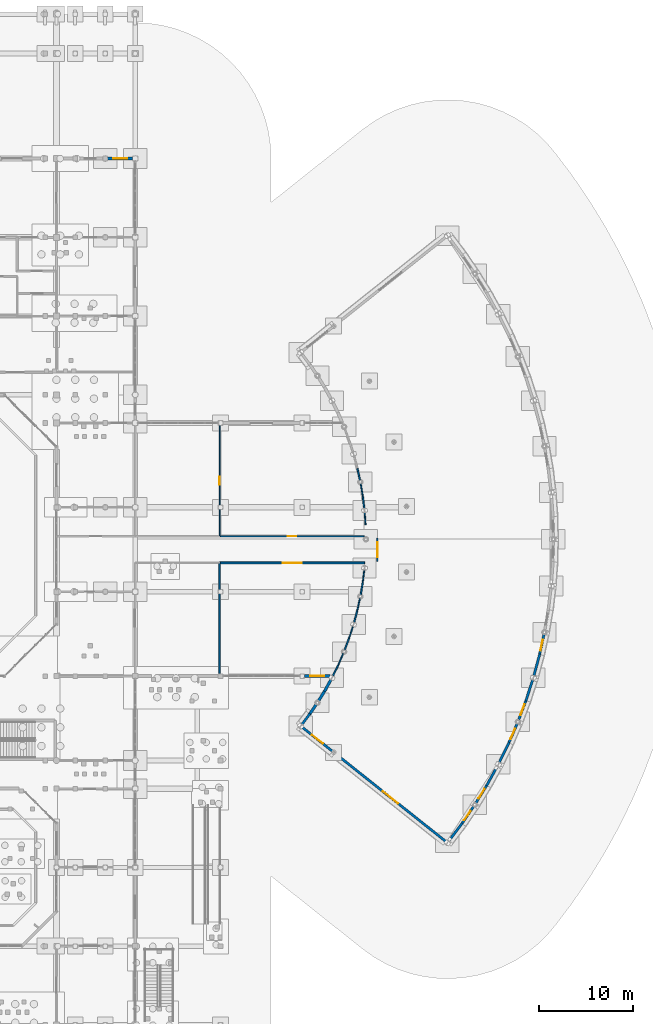
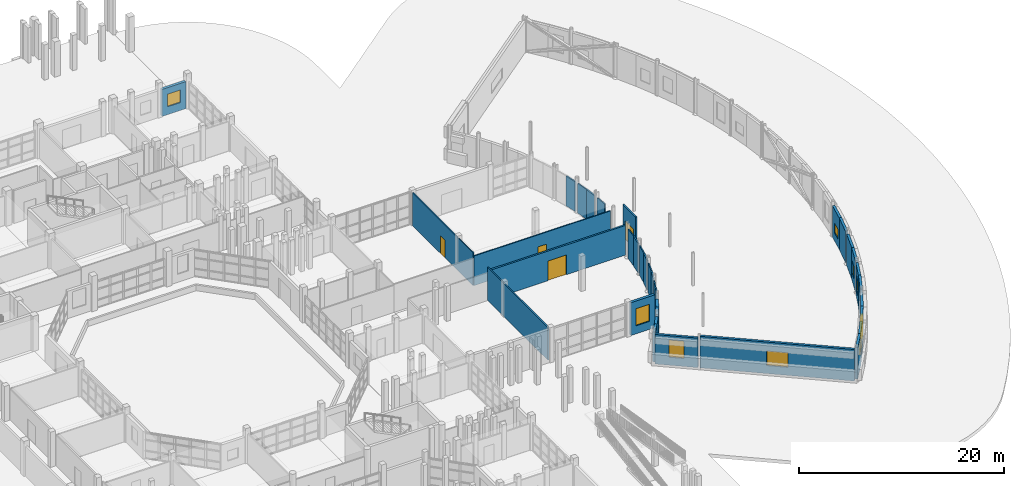
# One storey, part 65 of 88: 35 walls, 9 windows, 4 doors, 13 openings.
"""IFC4 building model written with IfcOpenShell, lengths in metres."""

import ifcopenshell
import ifcopenshell.guid

model = None  # the IFC model being written
_history = None  # IfcOwnerHistory: only IFC2X3 demands one
_inside = {}  # id of a spatial element -> (the spatial element, [elements in it])
_under = {}  # id of a project, library or spatial element -> (it, [spatial elements below it])
_declared = {}  # id of a project -> (the project, [libraries it declares])
_typed = {}  # id of a type object -> (the type object, [elements of that type])
_made_of = {}  # id of a material, layer set ... -> (it, [elements and type objects made of it])


def new_model(schema):
    """Start an empty IFC model of exactly this schema.

    Asked for "IFC4X3", IfcOpenShell would pick the latest addendum, in which some entities
    have other attributes; the version numbers below select the first issue.
    IFC2X3 requires an IfcOwnerHistory on every rooted entity: one is made here for all.
    """
    global model, _history
    if schema == "IFC4X3":
        model = ifcopenshell.file(schema_version=(4, 3, 0, 0))
    else:
        model = ifcopenshell.file(schema=schema)
    _inside.clear()
    _under.clear()
    _declared.clear()
    _typed.clear()
    _made_of.clear()
    _history = None
    if model.schema == "IFC2X3":
        org = make("IfcOrganization", Name="unknown")
        user = make(
            "IfcPersonAndOrganization",
            ThePerson=make("IfcPerson", FamilyName="unknown"),
            TheOrganization=org,
        )
        app = make(
            "IfcApplication",
            ApplicationDeveloper=org,
            Version="unknown",
            ApplicationFullName="unknown",
            ApplicationIdentifier="unknown",
        )
        _history = make(
            "IfcOwnerHistory",
            OwningUser=user,
            OwningApplication=app,
            ChangeAction="ADDED",
            CreationDate=0,
        )
    return model


def make(cls, **values):
    """One entity of the class cls with the attributes given. An attribute that is None is left unset."""
    return model.create_entity(
        cls, **{name: value for name, value in values.items() if value is not None}
    )


def rooted(cls, **values):
    """An entity with a GlobalId (a new one), such as an element, a storey or a relation."""
    return make(cls, GlobalId=ifcopenshell.guid.new(), OwnerHistory=_history, **values)


def si_unit(unit_type, name, prefix=None):
    """IfcSIUnit, for example si_unit("LENGTHUNIT", "METRE", prefix="MILLI")."""
    return make("IfcSIUnit", UnitType=unit_type, Prefix=prefix, Name=name)


def assignment(units):
    """IfcUnitAssignment: the units of a project."""
    return None if units is None else make("IfcUnitAssignment", Units=units)


def point(xyz):
    """IfcCartesianPoint."""
    return None if xyz is None else make("IfcCartesianPoint", Coordinates=xyz)


def direction(xyz):
    """IfcDirection."""
    return None if xyz is None else make("IfcDirection", DirectionRatios=xyz)


def frame(location, z_axis=None, x_axis=None):
    """IfcAxis2Placement3D, a coordinate frame: its origin and axes. An axis left out is left unset."""
    return make(
        "IfcAxis2Placement3D",
        Location=point(location),
        Axis=direction(z_axis),
        RefDirection=direction(x_axis),
    )


def frame_2d(location, x_axis=None):
    """IfcAxis2Placement2D, a coordinate frame in the plane: its origin and x axis."""
    return make(
        "IfcAxis2Placement2D", Location=point(location), RefDirection=direction(x_axis)
    )


def origin():
    """The frame at (0, 0, 0) with its axes left unset."""
    return frame((0.0, 0.0, 0.0))


def place(relative_to, where):
    """IfcLocalPlacement: puts the frame where relative to a parent placement (None: the world)."""
    return make(
        "IfcLocalPlacement", PlacementRelTo=relative_to, RelativePlacement=where
    )


def context(
    kind, dimensions, precision=None, world=None, true_north=None, identifier=None
):
    """IfcGeometricRepresentationContext, for example the 3D "Model" context."""
    return make(
        "IfcGeometricRepresentationContext",
        ContextIdentifier=identifier,
        ContextType=kind,
        CoordinateSpaceDimension=dimensions,
        Precision=precision,
        WorldCoordinateSystem=world,
        TrueNorth=true_north,
    )


def subcontext(parent, identifier, kind, view, scale=None):
    """IfcGeometricRepresentationSubContext, for example "Body" below "Model"."""
    return make(
        "IfcGeometricRepresentationSubContext",
        ContextIdentifier=identifier,
        ContextType=kind,
        ParentContext=parent,
        TargetScale=scale,
        TargetView=view,
    )


def project(units=None, contexts=None):
    """IfcProject with its units and contexts."""
    return rooted(
        "IfcProject",
        Name="project",
        RepresentationContexts=contexts,
        UnitsInContext=assignment(units),
    )


def spatial(cls, under=None, at=None, **own):
    """A site, building, storey or space (cls), placed at a placement, below another one or the project."""
    s = rooted(cls, ObjectPlacement=at, **own)
    if under is not None:
        _under.setdefault(under.id(), (under, []))[1].append(s)
    return s


def profile(cls, at=None, kind="AREA", **sizes):
    """A parametric profile (cls). Its sizes go by their IFC names, for example OverallWidth=200.0."""
    return make(cls, ProfileType=kind, Position=at, **sizes)


def rectangle(**sizes):
    """IfcRectangleProfileDef."""
    return profile("IfcRectangleProfileDef", **sizes)


def extrude(swept, where, along, depth):
    """IfcExtrudedAreaSolid: the profile swept, set in the frame where, extruded along a direction by depth."""
    return make(
        "IfcExtrudedAreaSolid",
        SweptArea=swept,
        Position=where,
        ExtrudedDirection=direction(along),
        Depth=depth,
    )


def shape(context_of_items, identifier, shape_type, items):
    """IfcShapeRepresentation: the items that make up one representation, for example the "Body"."""
    return make(
        "IfcShapeRepresentation",
        ContextOfItems=context_of_items,
        RepresentationIdentifier=identifier,
        RepresentationType=shape_type,
        Items=items,
    )


def material(Name=None, Category=None):
    """IfcMaterial."""
    return make("IfcMaterial", Name=Name, Category=Category)


def layer(
    of_material, thickness, ventilated=None, Name=None, Category=None, Priority=None
):
    """IfcMaterialLayer: one layer of a wall or slab, of a material (None: an air gap)."""
    return make(
        "IfcMaterialLayer",
        Material=of_material,
        LayerThickness=thickness,
        IsVentilated=ventilated,
        Name=Name,
        Category=Category,
        Priority=Priority,
    )


def layer_set(layers, Name=None):
    """IfcMaterialLayerSet."""
    return make("IfcMaterialLayerSet", MaterialLayers=layers, LayerSetName=Name)


def made_of(thing, what):
    """Note that an element or type object is made of a material, layer set ...; save() writes the relation."""
    if what is not None:
        _made_of.setdefault(what.id(), (what, []))[1].append(thing)
    return thing


def type_object(cls, material=None, **own):
    """A type object (cls), such as IfcWallType, which elements share."""
    return made_of(rooted(cls, **own), material)


def element(
    cls,
    number,
    at=None,
    inside=None,
    cuts=None,
    type_object=None,
    material=None,
    context=None,
    identifier="Body",
    shape_type=None,
    held_by="IfcProductDefinitionShape",
    body=None,
    shapes=None,
    **own,
):
    """One element of the class cls, such as IfcWall. Its Tag is "e" and its number.

    at: its placement. inside: the storey or other place that contains it. cuts: it is an
    opening in that element (IfcRelVoidsElement). A single representation is given by context,
    identifier, shape_type and body (its items); several are given by shapes. held_by: the class
    of the entity that holds the representations. save() writes the other relations.
    """
    e = rooted(cls, Tag="e%d" % number, ObjectPlacement=at, **own)
    if body is not None:
        shapes = [shape(context, identifier, shape_type, body)]
    if shapes is not None:
        e.Representation = make(held_by, Representations=shapes)
    if inside is not None:
        _inside.setdefault(inside.id(), (inside, []))[1].append(e)
    if cuts is not None:
        rooted(
            "IfcRelVoidsElement", RelatingBuildingElement=cuts, RelatedOpeningElement=e
        )
    if type_object is not None:
        _typed.setdefault(type_object.id(), (type_object, []))[1].append(e)
    return made_of(e, material)


def fill(opening, filler):
    """IfcRelFillsElement: the door or window that sits in an opening."""
    return rooted(
        "IfcRelFillsElement",
        RelatingOpeningElement=opening,
        RelatedBuildingElement=filler,
    )


def aggregate(whole, parts):
    """IfcRelAggregates: a whole, such as a stair, and the parts it consists of."""
    return rooted("IfcRelAggregates", RelatingObject=whole, RelatedObjects=parts)


def save(model, path):
    """Write the relations noted so far, then the file.

    IfcRelAggregates (storeys below a building ...), IfcRelContainedInSpatialStructure (elements
    in a storey), IfcRelDefinesByType, IfcRelAssociatesMaterial and IfcRelDeclares: one each for
    every whole, place, type object, material and project.
    """
    for whole, parts in _under.values():
        aggregate(whole, parts)
    for where, things in _inside.values():
        rooted(
            "IfcRelContainedInSpatialStructure",
            RelatedElements=things,
            RelatingStructure=where,
        )
    for kind, things in _typed.values():
        rooted("IfcRelDefinesByType", RelatedObjects=things, RelatingType=kind)
    for what, things in _made_of.values():
        rooted("IfcRelAssociatesMaterial", RelatedObjects=things, RelatingMaterial=what)
    for by, libraries in _declared.values():
        rooted("IfcRelDeclares", RelatingContext=by, RelatedDefinitions=libraries)
    model.write(path)


model = new_model("IFC4")

# Units and contexts
model_context = context("Model", 3, precision=1e-05, world=origin(), true_north=direction((0.0, 1.0)))
body_context = subcontext(model_context, "Body", "Model", "MODEL_VIEW")
ifc_project = project(units=[si_unit("LENGTHUNIT", "METRE"), si_unit("AREAUNIT", "SQUARE_METRE"), si_unit("VOLUMEUNIT", "CUBIC_METRE"), si_unit("PLANEANGLEUNIT", "RADIAN"), si_unit("MASSUNIT", "GRAM", prefix="KILO")], contexts=[model_context])

# Site, building, storey
site_placement = place(None, origin())
site = spatial("IfcSite", under=ifc_project, at=site_placement, CompositionType="ELEMENT")
building_placement = place(site_placement, origin())
building = spatial("IfcBuilding", under=site, at=building_placement, Name="Vanh Quang Courtyard School", CompositionType="ELEMENT")
storey_placement = place(building_placement, origin())
storey = spatial("IfcBuildingStorey", under=building, at=storey_placement, Name="L00", CompositionType="ELEMENT", Elevation=0.0)

# Wall, opening, door
ifc_material_1 = material(Name="Concrete C30/37", Category="concrete")
ifc_layer_1 = layer(ifc_material_1, 0.199951171875)
ifc_layer_set_1 = layer_set([ifc_layer_1], Name="Concrete C30/37")
wall_type_1 = type_object("IfcWallType", Name="W-COMP-200", PredefinedType="PARTITIONING", material=ifc_layer_set_1)
wall_1_placement = place(storey_placement, frame((128.419921875, 53.47998046875, 0.0), z_axis=(0.0, 0.0, 1.0), x_axis=(1.0, 0.0, 0.0)))
wall_1 = element("IfcWall", 1, at=wall_1_placement, inside=storey, type_object=wall_type_1, Name="Wall W-COMP1 (L00)", PredefinedType="PARTITIONING", context=body_context, shape_type="SweptSolid", body=[
    extrude(rectangle(XDim=15.4521484375, YDim=0.199951171875, at=frame_2d((7.72607421875, 0.0))), origin(), (0.0, 0.0, 1.0), 3.5400390625),
])
opening_1_placement = place(wall_1_placement, frame((6.701171875, 0.0, 0.0)))
opening_1 = element("IfcOpeningElement", 2, at=opening_1_placement, cuts=wall_1, Name="Opening L00-D009", PredefinedType="OPENING", context=body_context, shape_type="SweptSolid", body=[
    extrude(rectangle(XDim=2.050048828125, YDim=2.35009765625, at=frame_2d((1.02490234375, 1.175048828125))), frame((0.0, 0.10986328125, 0.0), z_axis=(0.0, -1.0, 0.0), x_axis=(1.0, 0.0, 0.0)), (0.0, 0.0, 1.0), 0.219970703125),
])
ifc_material_2 = material(Name="Painted galvanised steel fire door", Category="steel")
door_type_1 = type_object("IfcDoorType", Name="IDR-HAL-2050x2350", OperationType="NOTDEFINED", PredefinedType="DOOR", material=ifc_material_2)
door_1_placement = place(opening_1_placement, origin())
door_1 = element("IfcDoor", 3, at=door_1_placement, inside=storey, type_object=door_type_1, Name="Door L00-D009 (L00)", OperationType="DOUBLE_DOOR_SINGLE_SWING", OverallHeight=2.35009765625, OverallWidth=2.050048828125, PredefinedType="DOOR", context=body_context, shape_type="SweptSolid", body=[
    extrude(rectangle(XDim=2.050048828125, YDim=2.35009765625, at=frame_2d((1.02490234375, 1.175048828125))), frame((0.0, 0.02490234375, 0.0), z_axis=(0.0, -1.0, 0.0), x_axis=(1.0, 0.0, 0.0)), (0.0, 0.0, 1.0), 0.050048828125),
])
fill(opening_1, door_1)

# Wall, opening, window
ifc_material_3 = material(Name="Precast concrete C40/50", Category="concrete")
ifc_layer_2 = layer(ifc_material_3, 0.260009765625)
ifc_layer_set_2 = layer_set([ifc_layer_2], Name="Precast concrete C40/50")
wall_type_2 = type_object("IfcWallType", Name="W-EXT-260", PredefinedType="SOLIDWALL", material=ifc_layer_set_2)
wall_2_placement = place(storey_placement, frame((163.0068359375, 45.90625, 0.0), z_axis=(0.0, 0.0, 1.0), x_axis=(-0.214248952658, -0.97677908776, 0.0)))
wall_2 = element("IfcWall", 4, at=wall_2_placement, inside=storey, type_object=wall_type_2, Name="Wall WE-02 (L00)", PredefinedType="SOLIDWALL", context=body_context, shape_type="SweptSolid", body=[
    extrude(rectangle(XDim=2.439697265625, YDim=0.260009765625, at=frame_2d((1.2197265625, 0.0))), origin(), (0.0, 0.0, 1.0), 3.760009765625),
])
opening_2_placement = place(wall_2_placement, frame((0.619873046875, 0.0, 0.949951171875)))
opening_2 = element("IfcOpeningElement", 5, at=opening_2_placement, cuts=wall_2, Name="Opening WN-01", PredefinedType="OPENING", context=body_context, shape_type="SweptSolid", body=[
    extrude(rectangle(XDim=1.199951171875, YDim=1.199951171875, at=frame_2d((0.60009765625, 0.60009765625))), frame((0.0, 0.14013671875, 0.0), z_axis=(0.0, -1.0, 0.0), x_axis=(1.0, 0.0, 0.0)), (0.0, 0.0, 1.0), 0.280029296875),
])
ifc_material_4 = material(Name="Anodised aluminium and low-E double glazing", Category="aluminium")
window_type_1 = type_object("IfcWindowType", Name="WIN-TYP-01", PartitioningType="SINGLE_PANEL", PredefinedType="WINDOW", material=ifc_material_4)
window_1_placement = place(opening_2_placement, origin())
window_1 = element("IfcWindow", 6, at=window_1_placement, inside=storey, type_object=window_type_1, Name="Window WN-01 (L00)", OverallHeight=1.199951171875, OverallWidth=1.199951171875, PartitioningType="SINGLE_PANEL", PredefinedType="WINDOW", context=body_context, shape_type="SweptSolid", body=[
    extrude(rectangle(XDim=1.199951171875, YDim=1.199951171875, at=frame_2d((0.60009765625, 0.60009765625))), frame((0.0, 0.030029296875, 0.0), z_axis=(0.0, -1.0, 0.0), x_axis=(1.0, 0.0, 0.0)), (0.0, 0.0, 1.0), 0.06005859375),
])
fill(opening_2, window_1)

# Walls
for number, where, z_axis, x_axis, name in (
    (7, (162.541015625, 43.756103515625, 0.0), (0.0, 0.0, 1.0), (-0.260945365705, -0.965353570521, 0.0), "Wall WE-02 (L00)"),
    (8, (161.782958984375, 40.99658203125, 0.0), (0.0, 0.0, 1.0), (-0.306906422614, -0.951739695378, 0.0), "Wall WE-02 (L00)"),
):
    element("IfcWall", number, at=place(storey_placement, frame(where, z_axis=z_axis, x_axis=x_axis)), inside=storey, type_object=wall_type_2, Name=name, PredefinedType="SOLIDWALL", context=body_context, shape_type="SweptSolid", body=[
        extrude(rectangle(XDim=2.368896484375, YDim=0.260009765625, at=frame_2d((1.1845703125, 0.0))), origin(), (0.0, 0.0, 1.0), 3.760009765625),
    ])

# Wall, opening, window
wall_3_placement = place(storey_placement, frame((161.135009765625, 38.968505859375, 0.0), z_axis=(0.0, 0.0, 1.0), x_axis=(-0.352318417042, -0.935880191591, 0.0)))
wall_3 = element("IfcWall", 9, at=wall_3_placement, inside=storey, type_object=wall_type_2, Name="Wall WE-02 (L00)", PredefinedType="SOLIDWALL", context=body_context, shape_type="SweptSolid", body=[
    extrude(rectangle(XDim=2.43994140625, YDim=0.260009765625, at=frame_2d((1.219970703125, 0.0))), origin(), (0.0, 0.0, 1.0), 3.760009765625),
])
opening_3_placement = place(wall_3_placement, frame((0.619873046875, 0.0, 0.949951171875)))
opening_3 = element("IfcOpeningElement", 10, at=opening_3_placement, cuts=wall_3, Name="Opening WN-10", PredefinedType="OPENING", context=body_context, shape_type="SweptSolid", body=[
    extrude(rectangle(XDim=1.199951171875, YDim=1.5, at=frame_2d((0.60009765625, 0.75))), frame((0.0, 0.14013671875, 0.0), z_axis=(0.0, -1.0, 0.0), x_axis=(1.0, 0.0, 0.0)), (0.0, 0.0, 1.0), 0.280029296875),
])
window_type_2 = type_object("IfcWindowType", Name="WIN-TYP-10", PartitioningType="SINGLE_PANEL", PredefinedType="WINDOW", material=ifc_material_4)
window_2_placement = place(opening_3_placement, origin())
window_2 = element("IfcWindow", 11, at=window_2_placement, inside=storey, type_object=window_type_2, Name="Window WN-10 (L00)", OverallHeight=1.5, OverallWidth=1.199951171875, PartitioningType="SINGLE_PANEL", PredefinedType="WINDOW", context=body_context, shape_type="SweptSolid", body=[
    extrude(rectangle(XDim=1.199951171875, YDim=1.5, at=frame_2d((0.60009765625, 0.75))), frame((0.0, 0.030029296875, 0.0), z_axis=(0.0, -1.0, 0.0), x_axis=(1.0, 0.0, 0.0)), (0.0, 0.0, 1.0), 0.06005859375),
])
fill(opening_3, window_2)

wall_4_placement = place(storey_placement, frame((160.143798828125, 36.359130859375, 0.0), z_axis=(0.0, 0.0, 1.0), x_axis=(-0.396731161263, -0.917934848278, 0.0)))
wall_4 = element("IfcWall", 12, at=wall_4_placement, inside=storey, type_object=wall_type_2, Name="Wall WE-02 (L00)", PredefinedType="SOLIDWALL", context=body_context, shape_type="SweptSolid", body=[
    extrude(rectangle(XDim=2.43994140625, YDim=0.260009765625, at=frame_2d((1.219970703125, 0.0))), origin(), (0.0, 0.0, 1.0), 3.760009765625),
])
opening_4_placement = place(wall_4_placement, frame((0.619873046875, 0.0, 0.949951171875)))
opening_4 = element("IfcOpeningElement", 13, at=opening_4_placement, cuts=wall_4, Name="Opening WN-19", PredefinedType="OPENING", context=body_context, shape_type="SweptSolid", body=[
    extrude(rectangle(XDim=1.199951171875, YDim=1.75, at=frame_2d((0.60009765625, 0.875))), frame((0.0, 0.14013671875, 0.0), z_axis=(0.0, -1.0, 0.0), x_axis=(1.0, 0.0, 0.0)), (0.0, 0.0, 1.0), 0.280029296875),
])
window_type_3 = type_object("IfcWindowType", Name="WIN-TYP-19", PartitioningType="SINGLE_PANEL", PredefinedType="WINDOW", material=ifc_material_4)
window_3_placement = place(opening_4_placement, origin())
window_3 = element("IfcWindow", 14, at=window_3_placement, inside=storey, type_object=window_type_3, Name="Window WN-19 (L00)", OverallHeight=1.75, OverallWidth=1.199951171875, PartitioningType="SINGLE_PANEL", PredefinedType="WINDOW", context=body_context, shape_type="SweptSolid", body=[
    extrude(rectangle(XDim=1.199951171875, YDim=1.75, at=frame_2d((0.60009765625, 0.875))), frame((0.0, 0.030029296875, 0.0), z_axis=(0.0, -1.0, 0.0), x_axis=(1.0, 0.0, 0.0)), (0.0, 0.0, 1.0), 0.06005859375),
])
fill(opening_4, window_3)

# Walls
wall_5_placement = place(storey_placement, frame((159.276123046875, 34.33740234375, 0.0), z_axis=(0.0, 0.0, 1.0), x_axis=(-0.440274522074, -0.897863210747, 0.0)))
element("IfcWall", 15, at=wall_5_placement, inside=storey, type_object=wall_type_2, Name="Wall WE-02 (L00)", PredefinedType="SOLIDWALL", context=body_context, shape_type="SweptSolid", body=[
    extrude(rectangle(XDim=2.368896484375, YDim=0.260009765625, at=frame_2d((1.1845703125, 0.0))), origin(), (0.0, 0.0, 1.0), 3.760009765625),
])
wall_6_placement = place(storey_placement, frame((158.005615234375, 31.773193359375, 0.0), z_axis=(0.0, 0.0, 1.0), x_axis=(-0.482998338587, -0.87562126797, 0.0)))
element("IfcWall", 16, at=wall_6_placement, inside=storey, type_object=wall_type_2, Name="Wall WE-02 (L00)", PredefinedType="SOLIDWALL", context=body_context, shape_type="SweptSolid", body=[
    extrude(rectangle(XDim=2.369140625, YDim=0.260009765625, at=frame_2d((1.1845703125, 0.0))), origin(), (0.0, 0.0, 1.0), 3.760009765625),
])

# Wall, opening, window
wall_7_placement = place(storey_placement, frame((156.982421875, 29.906005859375, 0.0), z_axis=(0.0, 0.0, 1.0), x_axis=(-0.524365397626, -0.851493352747, 0.0)))
wall_7 = element("IfcWall", 17, at=wall_7_placement, inside=storey, type_object=wall_type_2, Name="Wall WE-02 (L00)", PredefinedType="SOLIDWALL", context=body_context, shape_type="SweptSolid", body=[
    extrude(rectangle(XDim=2.439697265625, YDim=0.260009765625, at=frame_2d((1.2197265625, 0.0))), origin(), (0.0, 0.0, 1.0), 3.760009765625),
])
opening_5_placement = place(wall_7_placement, frame((0.619873046875, 0.0, 0.949951171875)))
opening_5 = element("IfcOpeningElement", 18, at=opening_5_placement, cuts=wall_7, Name="Opening WN-28", PredefinedType="OPENING", context=body_context, shape_type="SweptSolid", body=[
    extrude(rectangle(XDim=1.199951171875, YDim=2.050048828125, at=frame_2d((0.60009765625, 1.02490234375))), frame((0.0, 0.14013671875, 0.0), z_axis=(0.0, -1.0, 0.0), x_axis=(1.0, 0.0, 0.0)), (0.0, 0.0, 1.0), 0.280029296875),
])
window_type_4 = type_object("IfcWindowType", Name="WIN-TYP-28", PartitioningType="SINGLE_PANEL", PredefinedType="WINDOW", material=ifc_material_4)
window_4_placement = place(opening_5_placement, origin())
window_4 = element("IfcWindow", 19, at=window_4_placement, inside=storey, type_object=window_type_4, Name="Window WN-28 (L00)", OverallHeight=2.050048828125, OverallWidth=1.199951171875, PartitioningType="SINGLE_PANEL", PredefinedType="WINDOW", context=body_context, shape_type="SweptSolid", body=[
    extrude(rectangle(XDim=1.199951171875, YDim=2.050048828125, at=frame_2d((0.60009765625, 1.02490234375))), frame((0.0, 0.030029296875, 0.0), z_axis=(0.0, -1.0, 0.0), x_axis=(1.0, 0.0, 0.0)), (0.0, 0.0, 1.0), 0.06005859375),
])
fill(opening_5, window_4)

wall_8_placement = place(storey_placement, frame((155.51171875, 27.53369140625, 0.0), z_axis=(0.0, 0.0, 1.0), x_axis=(-0.564658805035, -0.825324441596, 0.0)))
wall_8 = element("IfcWall", 20, at=wall_8_placement, inside=storey, type_object=wall_type_2, Name="Wall WE-02 (L00)", PredefinedType="SOLIDWALL", context=body_context, shape_type="SweptSolid", body=[
    extrude(rectangle(XDim=2.43994140625, YDim=0.260009765625, at=frame_2d((1.219970703125, 0.0))), origin(), (0.0, 0.0, 1.0), 3.760009765625),
])
opening_6_placement = place(wall_8_placement, frame((0.619873046875, 0.0, 0.949951171875)))
opening_6 = element("IfcOpeningElement", 21, at=opening_6_placement, cuts=wall_8, Name="Opening WN-01", PredefinedType="OPENING", context=body_context, shape_type="SweptSolid", body=[
    extrude(rectangle(XDim=1.199951171875, YDim=1.199951171875, at=frame_2d((0.60009765625, 0.60009765625))), frame((0.0, 0.14013671875, 0.0), z_axis=(0.0, -1.0, 0.0), x_axis=(1.0, 0.0, 0.0)), (0.0, 0.0, 1.0), 0.280029296875),
])
window_5_placement = place(opening_6_placement, origin())
window_5 = element("IfcWindow", 22, at=window_5_placement, inside=storey, type_object=window_type_1, Name="Window WN-01 (L00)", OverallHeight=1.199951171875, OverallWidth=1.199951171875, PartitioningType="SINGLE_PANEL", PredefinedType="WINDOW", context=body_context, shape_type="SweptSolid", body=[
    extrude(rectangle(XDim=1.199951171875, YDim=1.199951171875, at=frame_2d((0.60009765625, 0.60009765625))), frame((0.0, 0.030029296875, 0.0), z_axis=(0.0, -1.0, 0.0), x_axis=(1.0, 0.0, 0.0)), (0.0, 0.0, 1.0), 0.06005859375),
])
fill(opening_6, window_5)

# Wall
wall_9_placement = place(storey_placement, frame((154.274169921875, 25.714599609375, 0.0), z_axis=(0.0, 0.0, 1.0), x_axis=(-0.603506427187, -0.797358133052, 0.0)))
element("IfcWall", 23, at=wall_9_placement, inside=storey, type_object=wall_type_2, Name="Wall WE-02 (L00)", PredefinedType="SOLIDWALL", context=body_context, shape_type="SweptSolid", body=[
    extrude(rectangle(XDim=2.368896484375, YDim=0.260009765625, at=frame_2d((1.1845703125, 0.0))), origin(), (0.0, 0.0, 1.0), 3.760009765625),
])

# Wall, opening, window
wall_10_placement = place(storey_placement, frame((152.579833984375, 23.72119140625, 0.0), z_axis=(0.0, 0.0, 1.0), x_axis=(-0.782606374022, 0.622516877956, 0.0)))
wall_10 = element("IfcWall", 24, at=wall_10_placement, inside=storey, type_object=wall_type_2, Name="Wall WE-02 (L00)", PredefinedType="SOLIDWALL", context=body_context, shape_type="SweptSolid", body=[
    extrude(rectangle(XDim=15.244140625, YDim=0.260009765625, at=frame_2d((7.6220703125, 0.0))), origin(), (0.0, 0.0, 1.0), 3.760009765625),
])
opening_7_placement = place(wall_10_placement, frame((6.572021484375, 0.0, 0.949951171875)))
opening_7 = element("IfcOpeningElement", 25, at=opening_7_placement, cuts=wall_10, Name="Opening WN-22", PredefinedType="OPENING", context=body_context, shape_type="SweptSolid", body=[
    extrude(rectangle(XDim=2.10009765625, YDim=1.75, at=frame_2d((1.050048828125, 0.875))), frame((0.0, 0.14013671875, 0.0), z_axis=(0.0, -1.0, 0.0), x_axis=(1.0, 0.0, 0.0)), (0.0, 0.0, 1.0), 0.280029296875),
])
window_type_5 = type_object("IfcWindowType", Name="WIN-TYP-22", PartitioningType="SINGLE_PANEL", PredefinedType="WINDOW", material=ifc_material_4)
window_6_placement = place(opening_7_placement, origin())
window_6 = element("IfcWindow", 26, at=window_6_placement, inside=storey, type_object=window_type_5, Name="Window WN-22 (L00)", OverallHeight=1.75, OverallWidth=2.10009765625, PartitioningType="SINGLE_PANEL", PredefinedType="WINDOW", context=body_context, shape_type="SweptSolid", body=[
    extrude(rectangle(XDim=2.10009765625, YDim=1.75, at=frame_2d((1.050048828125, 0.875))), frame((0.0, 0.030029296875, 0.0), z_axis=(0.0, -1.0, 0.0), x_axis=(1.0, 0.0, 0.0)), (0.0, 0.0, 1.0), 0.06005859375),
])
fill(opening_7, window_6)

wall_11_placement = place(storey_placement, frame((140.480712890625, 33.345458984375, 0.0), z_axis=(0.0, 0.0, 1.0), x_axis=(-0.782633537419, 0.622482727557, 0.0)))
wall_11 = element("IfcWall", 27, at=wall_11_placement, inside=storey, type_object=wall_type_2, Name="Wall WE-02 (L00)", PredefinedType="SOLIDWALL", context=body_context, shape_type="SweptSolid", body=[
    extrude(rectangle(XDim=4.244140625, YDim=0.260009765625, at=frame_2d((2.1220703125, 0.0))), origin(), (0.0, 0.0, 1.0), 3.52001953125),
])
opening_8_placement = place(wall_11_placement, frame((1.3720703125, 0.0, 0.949951171875)))
opening_8 = element("IfcOpeningElement", 28, at=opening_8_placement, cuts=wall_11, Name="Opening WN-29", PredefinedType="OPENING", context=body_context, shape_type="SweptSolid", body=[
    extrude(rectangle(XDim=1.5, YDim=2.050048828125, at=frame_2d((0.75, 1.02490234375))), frame((0.0, 0.14013671875, 0.0), z_axis=(0.0, -1.0, 0.0), x_axis=(1.0, 0.0, 0.0)), (0.0, 0.0, 1.0), 0.280029296875),
])
window_type_6 = type_object("IfcWindowType", Name="WIN-TYP-29", PartitioningType="SINGLE_PANEL", PredefinedType="WINDOW", material=ifc_material_4)
window_7_placement = place(opening_8_placement, origin())
window_7 = element("IfcWindow", 29, at=window_7_placement, inside=storey, type_object=window_type_6, Name="Window WN-29 (L00)", OverallHeight=2.050048828125, OverallWidth=1.5, PartitioningType="SINGLE_PANEL", PredefinedType="WINDOW", context=body_context, shape_type="SweptSolid", body=[
    extrude(rectangle(XDim=1.5, YDim=2.050048828125, at=frame_2d((0.75, 1.02490234375))), frame((0.0, 0.030029296875, 0.0), z_axis=(0.0, -1.0, 0.0), x_axis=(1.0, 0.0, 0.0)), (0.0, 0.0, 1.0), 0.06005859375),
])
fill(opening_8, window_7)

# Wall
wall_12_placement = place(storey_placement, frame((137.18017578125, 36.260009765625, 0.0), z_axis=(0.0, 0.0, 1.0), x_axis=(0.603492572952, 0.797368618891, 0.0)))
element("IfcWall", 30, at=wall_12_placement, inside=storey, type_object=wall_type_2, Name="Wall WE-02 (L00)", PredefinedType="SOLIDWALL", context=body_context, shape_type="SweptSolid", body=[
    extrude(rectangle(XDim=1.42919921875, YDim=0.260009765625, at=frame_2d((0.714599609375, 0.0))), origin(), (0.0, 0.0, 1.0), 3.5400390625),
])

# Wall, opening, window
ifc_material_5 = material(Name="Concrete C35/45", Category="concrete")
ifc_layer_3 = layer(ifc_material_5, 0.300048828125)
ifc_layer_set_3 = layer_set([ifc_layer_3], Name="Concrete C35/45")
wall_type_3 = type_object("IfcWallType", Name="W-EXT-300", PredefinedType="SOLIDWALL", material=ifc_layer_set_3)
wall_13_placement = place(storey_placement, frame((116.447998046875, 96.60009765625, 0.0), z_axis=(0.0, 0.0, 1.0), x_axis=(1.0, 0.0, 0.0)))
wall_13 = element("IfcWall", 31, at=wall_13_placement, inside=storey, type_object=wall_type_3, Name="Wall WE-01 (L00)", PredefinedType="SOLIDWALL", context=body_context, shape_type="SweptSolid", body=[
    extrude(rectangle(XDim=2.678955078125, YDim=0.300048828125, at=frame_2d((1.33935546875, 0.0))), origin(), (0.0, 0.0, 1.0), 3.219970703125),
])
opening_9_placement = place(wall_13_placement, frame((0.589599609375, 0.0, 0.949951171875)))
opening_9 = element("IfcOpeningElement", 32, at=opening_9_placement, cuts=wall_13, Name="Opening WN-11", PredefinedType="OPENING", context=body_context, shape_type="SweptSolid", body=[
    extrude(rectangle(XDim=1.5, YDim=1.5, at=frame_2d((0.75, 0.75))), frame((0.0, 0.16015625, 0.0), z_axis=(0.0, -1.0, 0.0), x_axis=(1.0, 0.0, 0.0)), (0.0, 0.0, 1.0), 0.320068359375),
])
window_type_7 = type_object("IfcWindowType", Name="WIN-TYP-11", PartitioningType="SINGLE_PANEL", PredefinedType="WINDOW", material=ifc_material_4)
window_8_placement = place(opening_9_placement, origin())
window_8 = element("IfcWindow", 33, at=window_8_placement, inside=storey, type_object=window_type_7, Name="Window WN-11 (L00)", OverallHeight=1.5, OverallWidth=1.5, PartitioningType="SINGLE_PANEL", PredefinedType="WINDOW", context=body_context, shape_type="SweptSolid", body=[
    extrude(rectangle(XDim=1.5, YDim=1.5, at=frame_2d((0.75, 0.75))), frame((0.0, 0.030029296875, 0.0), z_axis=(0.0, -1.0, 0.0), x_axis=(1.0, 0.0, 0.0)), (0.0, 0.0, 1.0), 0.06005859375),
])
fill(opening_9, window_8)

# Walls
for number, where, z_axis, x_axis, name in (
    (34, (137.902587890625, 37.205078125, 0.0), (0.0, 0.0, 1.0), (0.56467208792, 0.825315353743, 0.0), "Wall WE-01 (L00)"),
    (35, (138.9296875, 38.72119140625, 0.0), (0.0, 0.0, 1.0), (0.524263090117, 0.851556347132, 0.0), "Wall WE-01 (L00)"),
):
    element("IfcWall", number, at=place(storey_placement, frame(where, z_axis=z_axis, x_axis=x_axis)), inside=storey, type_object=wall_type_3, Name=name, PredefinedType="SOLIDWALL", context=body_context, shape_type="SweptSolid", body=[
        extrude(rectangle(XDim=1.47998046875, YDim=0.300048828125, at=frame_2d((0.739990234375, 0.0))), origin(), (0.0, 0.0, 1.0), 3.5400390625),
    ])
wall_14_placement = place(storey_placement, frame((139.584716796875, 39.774169921875, 0.0), z_axis=(0.0, 0.0, 1.0), x_axis=(0.482928309872, 0.875659892609, 0.0)))
element("IfcWall", 36, at=wall_14_placement, inside=storey, type_object=wall_type_3, Name="Wall WE-01 (L00)", PredefinedType="SOLIDWALL", context=body_context, shape_type="SweptSolid", body=[
    extrude(rectangle(XDim=1.42919921875, YDim=0.300048828125, at=frame_2d((0.714599609375, 0.0))), origin(), (0.0, 0.0, 1.0), 3.5400390625),
])

# Wall, opening, window
wall_15_placement = place(storey_placement, frame((140.1494140625, 41.39990234375, 0.0), z_axis=(0.0, 0.0, 1.0), x_axis=(-1.0, 0.0, 0.0)))
wall_15 = element("IfcWall", 37, at=wall_15_placement, inside=storey, type_object=wall_type_3, Name="Wall WE-01 (L00)", PredefinedType="SOLIDWALL", context=body_context, shape_type="SweptSolid", body=[
    extrude(rectangle(XDim=2.701416015625, YDim=0.300048828125, at=frame_2d((1.3505859375, 0.0))), origin(), (0.0, 0.0, 1.0), 3.919921875),
])
opening_10_placement = place(wall_15_placement, frame((0.6005859375, 0.0, 0.949951171875)))
opening_10 = element("IfcOpeningElement", 38, at=opening_10_placement, cuts=wall_15, Name="Opening WN-29", PredefinedType="OPENING", context=body_context, shape_type="SweptSolid", body=[
    extrude(rectangle(XDim=1.5, YDim=2.050048828125, at=frame_2d((0.75, 1.02490234375))), frame((0.0, 0.16015625, 0.0), z_axis=(0.0, -1.0, 0.0), x_axis=(1.0, 0.0, 0.0)), (0.0, 0.0, 1.0), 0.320068359375),
])
window_9_placement = place(opening_10_placement, origin())
window_9 = element("IfcWindow", 39, at=window_9_placement, inside=storey, type_object=window_type_6, Name="Window WN-29 (L00)", OverallHeight=2.050048828125, OverallWidth=1.5, PartitioningType="SINGLE_PANEL", PredefinedType="WINDOW", context=body_context, shape_type="SweptSolid", body=[
    extrude(rectangle(XDim=1.5, YDim=2.050048828125, at=frame_2d((0.75, 1.02490234375))), frame((0.0, 0.030029296875, 0.0), z_axis=(0.0, -1.0, 0.0), x_axis=(1.0, 0.0, 0.0)), (0.0, 0.0, 1.0), 0.06005859375),
])
fill(opening_10, window_9)

# Walls
ifc_material_6 = material(Name="Acoustic gypsum stud partition", Category="gypsum")
ifc_layer_4 = layer(ifc_material_6, 0.1201171875)
ifc_layer_set_4 = layer_set([ifc_layer_4], Name="Acoustic gypsum stud partition")
wall_type_4 = type_object("IfcWallType", Name="W-PART-120", PredefinedType="PARTITIONING", material=ifc_layer_set_4)
wall_16_placement = place(storey_placement, frame((141.05908203125, 42.599853515625, 0.0), z_axis=(0.0, 0.0, 1.0), x_axis=(0.396813294999, 0.917899345741, 0.0)))
element("IfcWall", 40, at=wall_16_placement, inside=storey, type_object=wall_type_4, Name="Wall W-PRT2 (L00)", PredefinedType="PARTITIONING", context=body_context, shape_type="SweptSolid", body=[
    extrude(rectangle(XDim=1.36328125, YDim=0.1201171875, at=frame_2d((0.681640625, 0.0))), origin(), (0.0, 0.0, 1.0), 3.5400390625),
])
wall_17_placement = place(storey_placement, frame((142.2119140625, 45.453125, 0.0), z_axis=(0.0, 0.0, 1.0), x_axis=(0.306844339678, 0.951759712957, 0.0)))
element("IfcWall", 41, at=wall_17_placement, inside=storey, type_object=wall_type_4, Name="Wall W-PRT2 (L00)", PredefinedType="PARTITIONING", context=body_context, shape_type="SweptSolid", body=[
    extrude(rectangle(XDim=1.3056640625, YDim=0.1201171875, at=frame_2d((0.65283203125, 0.0))), origin(), (0.0, 0.0, 1.0), 3.5400390625),
])
wall_18_placement = place(storey_placement, frame((143.08349609375, 48.3974609375, 0.0), z_axis=(0.0, 0.0, 1.0), x_axis=(0.214357038875, 0.976755373614, 0.0)))
element("IfcWall", 42, at=wall_18_placement, inside=storey, type_object=wall_type_4, Name="Wall W-PRT2 (L00)", PredefinedType="PARTITIONING", context=body_context, shape_type="SweptSolid", body=[
    extrude(rectangle(XDim=1.3564453125, YDim=0.1201171875, at=frame_2d((0.67822265625, 0.0))), origin(), (0.0, 0.0, 1.0), 3.5400390625),
])
wall_19_placement = place(storey_placement, frame((143.668212890625, 51.40478515625, 0.0), z_axis=(0.0, 0.0, 1.0), x_axis=(0.119775911082, 0.992800952419, 0.0)))
element("IfcWall", 43, at=wall_19_placement, inside=storey, type_object=wall_type_4, Name="Wall W-PRT2 (L00)", PredefinedType="PARTITIONING", context=body_context, shape_type="SweptSolid", body=[
    extrude(rectangle(XDim=1.312744140625, YDim=0.1201171875, at=frame_2d((0.65625, 0.0))), origin(), (0.0, 0.0, 1.0), 3.5400390625),
])
wall_20_placement = place(storey_placement, frame((143.962890625, 57.538818359375, 0.0), z_axis=(0.0, 0.0, 1.0), x_axis=(-0.071977769647, 0.997406236534, 0.0)))
element("IfcWall", 44, at=wall_20_placement, inside=storey, type_object=wall_type_4, Name="Wall W-PRT2 (L00)", PredefinedType="PARTITIONING", context=body_context, shape_type="SweptSolid", body=[
    extrude(rectangle(XDim=1.305908203125, YDim=0.1201171875, at=frame_2d((0.65283203125, 0.0))), origin(), (0.0, 0.0, 1.0), 3.5400390625),
])
wall_21_placement = place(storey_placement, frame((143.668212890625, 60.59521484375, 0.0), z_axis=(0.0, 0.0, 1.0), x_axis=(-0.167200153684, 0.985922972959, 0.0)))
element("IfcWall", 45, at=wall_21_placement, inside=storey, type_object=wall_type_4, Name="Wall W-PRT2 (L00)", PredefinedType="PARTITIONING", context=body_context, shape_type="SweptSolid", body=[
    extrude(rectangle(XDim=1.3564453125, YDim=0.1201171875, at=frame_2d((0.67822265625, 0.0))), origin(), (0.0, 0.0, 1.0), 3.5400390625),
])

# Wall, opening, door
wall_22_placement = place(storey_placement, frame((128.39990234375, 68.152099609375, 0.0), z_axis=(0.0, 0.0, 1.0), x_axis=(0.0, -1.0, 0.0)))
wall_22 = element("IfcWall", 46, at=wall_22_placement, inside=storey, type_object=wall_type_4, Name="Wall W-PRT2 (L00)", PredefinedType="PARTITIONING", context=body_context, shape_type="SweptSolid", body=[
    extrude(rectangle(XDim=11.83203125, YDim=0.1201171875, at=frame_2d((5.916015625, 0.0))), origin(), (0.0, 0.0, 1.0), 3.919921875),
])
opening_11_placement = place(wall_22_placement, frame((5.466064453125, 0.0, 0.0)))
opening_11 = element("IfcOpeningElement", 47, at=opening_11_placement, cuts=wall_22, Name="Opening L00-D008", PredefinedType="OPENING", context=body_context, shape_type="SweptSolid", body=[
    extrude(rectangle(XDim=0.89990234375, YDim=2.10009765625, at=frame_2d((0.449951171875, 1.050048828125))), frame((0.0, 0.070068359375, 0.0), z_axis=(0.0, -1.0, 0.0), x_axis=(1.0, 0.0, 0.0)), (0.0, 0.0, 1.0), 0.14013671875),
])
ifc_material_7 = material(Name="Solid-core hardwood acoustic door", Category="wood")
door_type_2 = type_object("IfcDoorType", Name="IDR-WC-0900x2100", OperationType="NOTDEFINED", PredefinedType="DOOR", material=ifc_material_7)
door_2_placement = place(opening_11_placement, origin())
door_2 = element("IfcDoor", 48, at=door_2_placement, inside=storey, type_object=door_type_2, Name="Door L00-D008 (L00)", OperationType="SINGLE_SWING_LEFT", OverallHeight=2.10009765625, OverallWidth=0.89990234375, PredefinedType="DOOR", context=body_context, shape_type="SweptSolid", body=[
    extrude(rectangle(XDim=0.89990234375, YDim=2.10009765625, at=frame_2d((0.449951171875, 1.050048828125))), frame((0.0, 0.02490234375, 0.0), z_axis=(0.0, -1.0, 0.0), x_axis=(1.0, 0.0, 0.0)), (0.0, 0.0, 1.0), 0.050048828125),
])
fill(opening_11, door_2)

wall_23_placement = place(storey_placement, frame((143.82421875, 56.320068359375, 0.0), z_axis=(0.0, 0.0, 1.0), x_axis=(-1.0, 0.0, 0.0)))
wall_23 = element("IfcWall", 49, at=wall_23_placement, inside=storey, type_object=wall_type_4, Name="Wall W-PRT2 (L00)", PredefinedType="PARTITIONING", context=body_context, shape_type="SweptSolid", body=[
    extrude(rectangle(XDim=15.404296875, YDim=0.1201171875, at=frame_2d((7.7021484375, 0.0))), origin(), (0.0, 0.0, 1.0), 3.5400390625),
])
opening_12_placement = place(wall_23_placement, frame((7.22705078125, 0.0, 0.0)))
opening_12 = element("IfcOpeningElement", 50, at=opening_12_placement, cuts=wall_23, Name="Opening L00-D010", PredefinedType="OPENING", context=body_context, shape_type="SweptSolid", body=[
    extrude(rectangle(XDim=0.949951171875, YDim=2.10009765625, at=frame_2d((0.47509765625, 1.050048828125))), frame((0.0, 0.070068359375, 0.0), z_axis=(0.0, -1.0, 0.0), x_axis=(1.0, 0.0, 0.0)), (0.0, 0.0, 1.0), 0.14013671875),
])
door_type_3 = type_object("IfcDoorType", Name="IDR-CLS-0950x2100", OperationType="NOTDEFINED", PredefinedType="DOOR", material=ifc_material_7)
door_3_placement = place(opening_12_placement, origin())
door_3 = element("IfcDoor", 51, at=door_3_placement, inside=storey, type_object=door_type_3, Name="Door L00-D010 (L00)", OperationType="SINGLE_SWING_LEFT", OverallHeight=2.10009765625, OverallWidth=0.949951171875, PredefinedType="DOOR", context=body_context, shape_type="SweptSolid", body=[
    extrude(rectangle(XDim=0.949951171875, YDim=2.10009765625, at=frame_2d((0.47509765625, 1.050048828125))), frame((0.0, 0.02490234375, 0.0), z_axis=(0.0, -1.0, 0.0), x_axis=(1.0, 0.0, 0.0)), (0.0, 0.0, 1.0), 0.050048828125),
])
fill(opening_12, door_3)

# Walls
ifc_material_8 = material(Name="Autoclaved aerated masonry blockwork", Category="masonry")
ifc_layer_5 = layer(ifc_material_8, 0.14990234375)
ifc_layer_set_5 = layer_set([ifc_layer_5], Name="Autoclaved aerated masonry blockwork")
wall_type_5 = type_object("IfcWallType", Name="W-PART-150", PredefinedType="PARTITIONING", material=ifc_layer_set_5)
wall_24_placement = place(storey_placement, frame((140.48388671875, 41.427490234375, 0.0), z_axis=(0.0, 0.0, 1.0), x_axis=(0.440470485044, 0.897767092182, 0.0)))
element("IfcWall", 52, at=wall_24_placement, inside=storey, type_object=wall_type_5, Name="Wall W-PRT1 (L00)", PredefinedType="PARTITIONING", context=body_context, shape_type="SweptSolid", body=[
    extrude(rectangle(XDim=1.305908203125, YDim=0.14990234375, at=frame_2d((0.65283203125, 0.0))), origin(), (0.0, 0.0, 1.0), 3.5400390625),
])
wall_25_placement = place(storey_placement, frame((141.731689453125, 44.17724609375, 0.0), z_axis=(0.0, 0.0, 1.0), x_axis=(0.352261479971, 0.935901623959, 0.0)))
element("IfcWall", 53, at=wall_25_placement, inside=storey, type_object=wall_type_5, Name="Wall W-PRT1 (L00)", PredefinedType="PARTITIONING", context=body_context, shape_type="SweptSolid", body=[
    extrude(rectangle(XDim=1.36328125, YDim=0.14990234375, at=frame_2d((0.681640625, 0.0))), origin(), (0.0, 0.0, 1.0), 3.5400390625),
])
wall_26_placement = place(storey_placement, frame((142.7412109375, 47.130126953125, 0.0), z_axis=(0.0, 0.0, 1.0), x_axis=(0.260740388101, 0.965408954803, 0.0)))
element("IfcWall", 54, at=wall_26_placement, inside=storey, type_object=wall_type_5, Name="Wall W-PRT1 (L00)", PredefinedType="PARTITIONING", context=body_context, shape_type="SweptSolid", body=[
    extrude(rectangle(XDim=1.312744140625, YDim=0.14990234375, at=frame_2d((0.65625, 0.0))), origin(), (0.0, 0.0, 1.0), 3.5400390625),
])
wall_27_placement = place(storey_placement, frame((143.44140625, 50.0673828125, 0.0), z_axis=(0.0, 0.0, 1.0), x_axis=(0.167200153684, 0.985922972959, 0.0)))
element("IfcWall", 55, at=wall_27_placement, inside=storey, type_object=wall_type_5, Name="Wall W-PRT1 (L00)", PredefinedType="PARTITIONING", context=body_context, shape_type="SweptSolid", body=[
    extrude(rectangle(XDim=1.3564453125, YDim=0.14990234375, at=frame_2d((0.67822265625, 0.0))), origin(), (0.0, 0.0, 1.0), 3.5400390625),
])

# Wall, opening, door
wall_28_placement = place(storey_placement, frame((145.218994140625, 53.634765625, 0.0), z_axis=(0.0, 0.0, 1.0), x_axis=(0.000387935186, 0.999999924753, 0.0)))
wall_28 = element("IfcWall", 56, at=wall_28_placement, inside=storey, type_object=wall_type_5, Name="Wall W-PRT1 (L00)", PredefinedType="PARTITIONING", context=body_context, shape_type="SweptSolid", body=[
    extrude(rectangle(XDim=2.517333984375, YDim=0.14990234375, at=frame_2d((1.2587890625, 0.0))), origin(), (0.0, 0.0, 1.0), 3.919921875),
])
opening_13_placement = place(wall_28_placement, frame((0.458740234375, 0.0, 0.0)))
opening_13 = element("IfcOpeningElement", 57, at=opening_13_placement, cuts=wall_28, Name="Opening L00-D006", PredefinedType="OPENING", context=body_context, shape_type="SweptSolid", body=[
    extrude(rectangle(XDim=1.60009765625, YDim=2.199951171875, at=frame_2d((0.800048828125, 1.10009765625))), frame((0.0, 0.0849609375, 0.0), z_axis=(0.0, -1.0, 0.0), x_axis=(1.0, 0.0, 0.0)), (0.0, 0.0, 1.0), 0.169921875),
])
door_type_4 = type_object("IfcDoorType", Name="IDR-FD-1600x2200", OperationType="NOTDEFINED", PredefinedType="DOOR", material=ifc_material_2)
door_4_placement = place(opening_13_placement, origin())
door_4 = element("IfcDoor", 58, at=door_4_placement, inside=storey, type_object=door_type_4, Name="Door L00-D006 (L00)", OperationType="DOUBLE_DOOR_SINGLE_SWING", OverallHeight=2.199951171875, OverallWidth=1.60009765625, PredefinedType="DOOR", context=body_context, shape_type="SweptSolid", body=[
    extrude(rectangle(XDim=1.60009765625, YDim=2.199951171875, at=frame_2d((0.800048828125, 1.10009765625))), frame((0.0, 0.02490234375, 0.0), z_axis=(0.0, -1.0, 0.0), x_axis=(1.0, 0.0, 0.0)), (0.0, 0.0, 1.0), 0.050048828125),
])
fill(opening_13, door_4)

# Walls
wall_29_placement = place(storey_placement, frame((143.825439453125, 59.2919921875, 0.0), z_axis=(0.0, 0.0, 1.0), x_axis=(-0.119775911082, 0.992800952419, 0.0)))
element("IfcWall", 59, at=wall_29_placement, inside=storey, type_object=wall_type_5, Name="Wall W-PRT1 (L00)", PredefinedType="PARTITIONING", context=body_context, shape_type="SweptSolid", body=[
    extrude(rectangle(XDim=1.312744140625, YDim=0.14990234375, at=frame_2d((0.65625, 0.0))), origin(), (0.0, 0.0, 1.0), 3.5400390625),
])
wall_30_placement = place(storey_placement, frame((143.374267578125, 62.277587890625, 0.0), z_axis=(0.0, 0.0, 1.0), x_axis=(-0.214357038875, 0.976755373614, 0.0)))
element("IfcWall", 60, at=wall_30_placement, inside=storey, type_object=wall_type_5, Name="Wall W-PRT1 (L00)", PredefinedType="PARTITIONING", context=body_context, shape_type="SweptSolid", body=[
    extrude(rectangle(XDim=1.3564453125, YDim=0.14990234375, at=frame_2d((0.67822265625, 0.0))), origin(), (0.0, 0.0, 1.0), 3.5400390625),
])
wall_31_placement = place(storey_placement, frame((128.39990234375, 53.47998046875, 0.0), z_axis=(0.0, 0.0, 1.0), x_axis=(0.0, -1.0, 0.0)))
element("IfcWall", 61, at=wall_31_placement, inside=storey, type_object=wall_type_5, Name="Wall W-PRT1 (L00)", PredefinedType="PARTITIONING", context=body_context, shape_type="SweptSolid", body=[
    extrude(rectangle(XDim=11.79638671875, YDim=0.14990234375, at=frame_2d((5.898193359375, 0.0))), origin(), (0.0, 0.0, 1.0), 3.919921875),
])

save(model, "model.ifc")
